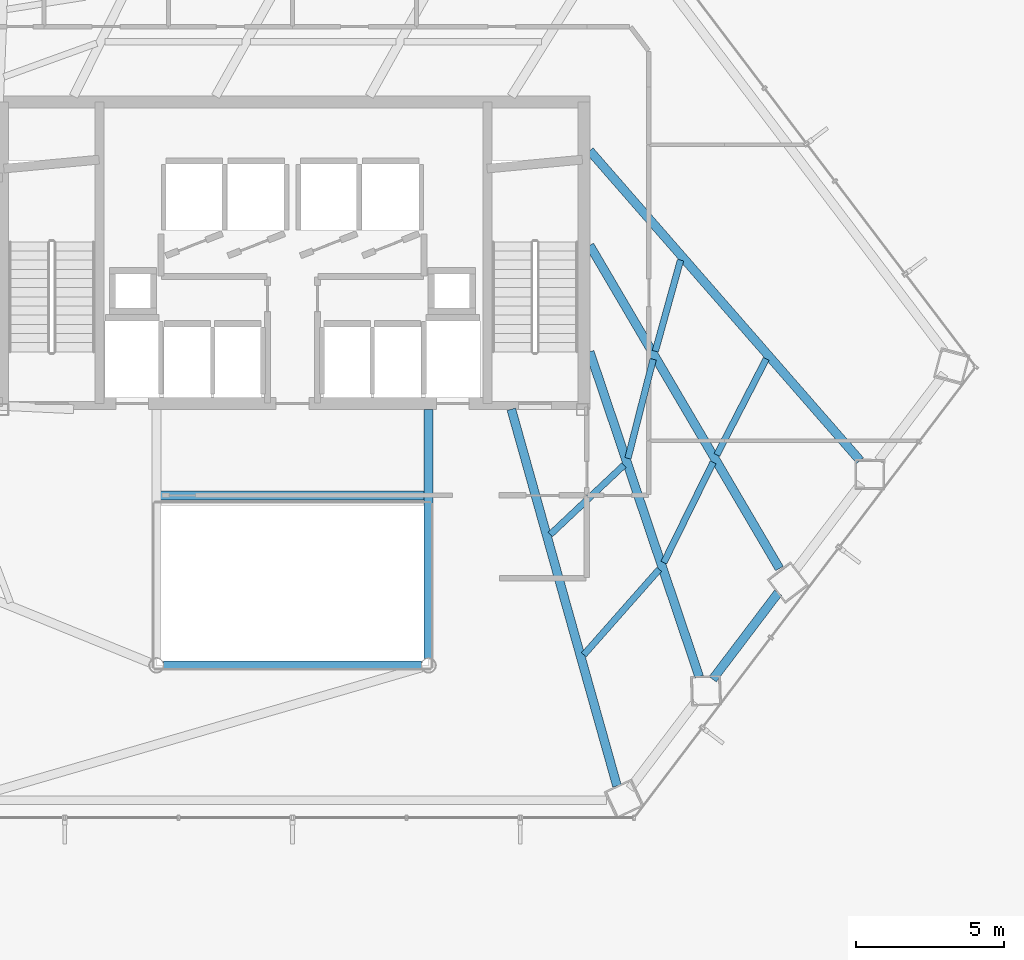
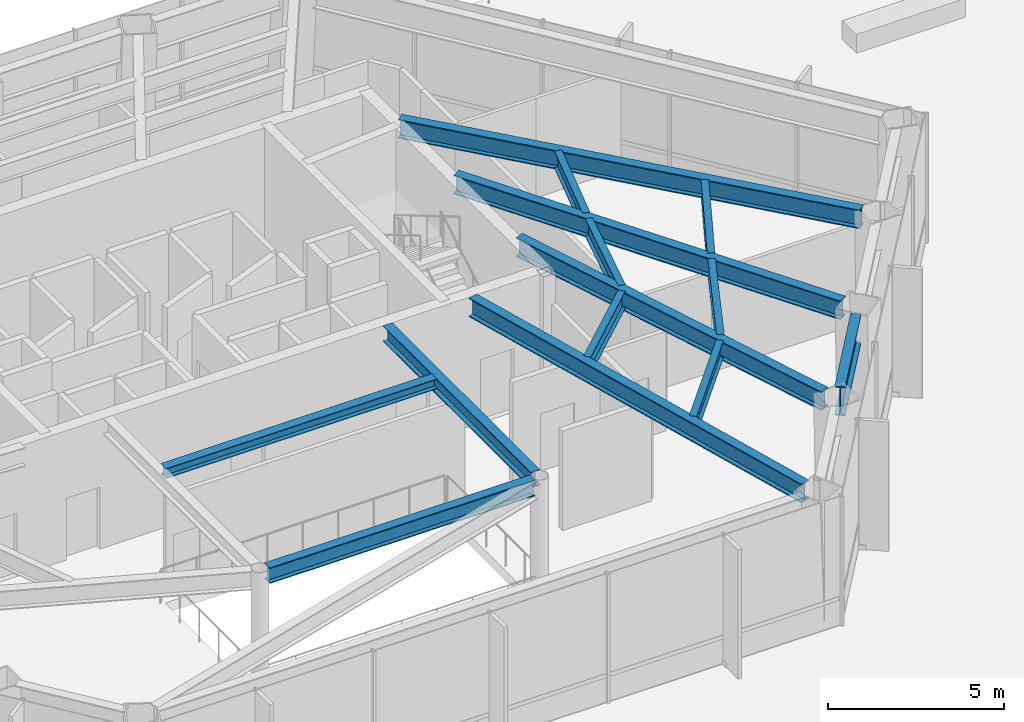
# One storey, part 9 of 30: 14 beams.
"""IFC4 building model written with IfcOpenShell, lengths in metres."""

from ifc_helpers import new_model, si_unit, direction, frame, origin, origin_2d, place, context, subcontext, project, spatial, i_section, extrude, material, material_profile, profile_set, type_object, element, save


model = new_model("IFC4")

# Units and contexts
model_context = context("Model", 3, precision=1e-05, world=origin(), true_north=direction((0.0, 1.0)))
body_context = subcontext(model_context, "Body", "Model", "MODEL_VIEW")
ifc_project = project(units=[si_unit("LENGTHUNIT", "METRE"), si_unit("AREAUNIT", "SQUARE_METRE"), si_unit("VOLUMEUNIT", "CUBIC_METRE"), si_unit("PLANEANGLEUNIT", "RADIAN"), si_unit("MASSUNIT", "GRAM", prefix="KILO")], contexts=[model_context])

# Site, building, storey
site_placement = place(None, origin())
site = spatial("IfcSite", under=ifc_project, at=site_placement, CompositionType="ELEMENT")
building_placement = place(site_placement, origin())
building = spatial("IfcBuilding", under=site, at=building_placement, Name="Zarrinselat Tower", CompositionType="ELEMENT")
storey_placement = place(building_placement, frame((0.0, 0.0, 22.780029296875)))
storey = spatial("IfcBuildingStorey", under=building, at=storey_placement, Name="L05", CompositionType="ELEMENT", Elevation=22.780029296875)

# Beams
ifc_material_1 = material(Name="Steel S355J2", Category="steel")
ifc_material_profile_1 = material_profile(ifc_material_1, i_section(OverallWidth=0.300048828125, OverallDepth=0.35009765625, WebThickness=0.010009765625, FlangeThickness=0.017578125, at=origin_2d()), Name="HEA 360")
ifc_profile_set_1 = profile_set([ifc_material_profile_1], Name="Steel S355J2")
beam_type_1 = type_object("IfcBeamType", Name="BM-HEA360", PredefinedType="LINTEL", material=ifc_profile_set_1)
beam_1_placement = place(storey_placement, frame((33.93994140625, 30.14990234375, 4.324951171875), z_axis=(1.0, 0.0, 0.0), x_axis=(0.0, 1.0, 0.0)))
element("IfcBeam", 1, at=beam_1_placement, inside=storey, type_object=beam_type_1, Name="L05 Lift Lobby Ceiling Beam", PredefinedType="LINTEL", context=body_context, shape_type="SweptSolid", body=[
    extrude(i_section(OverallWidth=0.300048828125, OverallDepth=0.35009765625, WebThickness=0.010009765625, FlangeThickness=0.017578125, at=origin_2d()), origin(), (0.0, 0.0, 1.0), 8.920166015625),
])
ifc_material_2 = material(Name="Steel S355J2", Category="steel")
ifc_material_profile_2 = material_profile(ifc_material_2, i_section(OverallWidth=0.300048828125, OverallDepth=0.550048828125, WebThickness=0.014892578125, FlangeThickness=0.029052734375, at=origin_2d()), Name="HEB 550")
ifc_profile_set_2 = profile_set([ifc_material_profile_2], Name="Steel S355J2")
beam_type_2 = type_object("IfcBeamType", Name="BM-HEB550", PredefinedType="BEAM", material=ifc_profile_set_2)
beam_2_placement = place(storey_placement, frame((34.0400390625, 24.39990234375, 4.224853515625), z_axis=(1.0, 0.0, 0.0), x_axis=(0.0, 1.0, 0.0)))
element("IfcBeam", 2, at=beam_2_placement, inside=storey, type_object=beam_type_2, Name="L05 Atrium Edge Beam S", PredefinedType="BEAM", context=body_context, shape_type="SweptSolid", body=[
    extrude(i_section(OverallWidth=0.300048828125, OverallDepth=0.550048828125, WebThickness=0.014892578125, FlangeThickness=0.029052734375, at=origin_2d()), origin(), (0.0, 0.0, 1.0), 8.719970703125),
])
beam_3_placement = place(storey_placement, frame((43.0, 24.639892578125, 4.224853515625), z_axis=(0.0, 1.0, 0.0), x_axis=(-1.0, 0.0, 0.0)))
element("IfcBeam", 3, at=beam_3_placement, inside=storey, type_object=beam_type_2, Name="L05 Atrium Edge Beam E", PredefinedType="BEAM", context=body_context, shape_type="SweptSolid", body=[
    extrude(i_section(OverallWidth=0.300048828125, OverallDepth=0.550048828125, WebThickness=0.014892578125, FlangeThickness=0.029052734375, at=origin_2d()), origin(), (0.0, 0.0, 1.0), 8.420166015625),
])
ifc_material_3 = material(Name="Steel S355J2", Category="steel")
ifc_material_profile_3 = material_profile(ifc_material_3, i_section(OverallWidth=0.300048828125, OverallDepth=0.64990234375, WebThickness=0.01611328125, FlangeThickness=0.031005859375, at=origin_2d()), Name="HEB 650")
ifc_profile_set_3 = profile_set([ifc_material_profile_3], Name="Steel S355J2")
beam_type_3 = type_object("IfcBeamType", Name="BM-HEB650", PredefinedType="BEAM", material=ifc_profile_set_3)
beam_4_placement = place(storey_placement, frame((45.800048828125, 33.06005859375, 4.175048828125), z_axis=(0.270091305161, -0.962834714204, 0.0), x_axis=(0.962834714204, 0.270091305161, 0.0)))
element("IfcBeam", 4, at=beam_4_placement, inside=storey, type_object=beam_type_3, Name="L05 Radial Primary Girder RG11", PredefinedType="BEAM", context=body_context, shape_type="SweptSolid", body=[
    extrude(i_section(OverallWidth=0.300048828125, OverallDepth=0.64990234375, WebThickness=0.01611328125, FlangeThickness=0.031005859375, at=origin_2d()), origin(), (0.0, 0.0, 1.0), 13.22802734375),
])
beam_5_placement = place(storey_placement, frame((48.449951171875, 35.0, 4.175048828125), z_axis=(0.319467998199, -0.94759706528, 0.0), x_axis=(0.94759706528, 0.319467998199, 0.0)))
element("IfcBeam", 5, at=beam_5_placement, inside=storey, type_object=beam_type_3, Name="L05 Radial Primary Girder RG12", PredefinedType="BEAM", context=body_context, shape_type="SweptSolid", body=[
    extrude(i_section(OverallWidth=0.300048828125, OverallDepth=0.64990234375, WebThickness=0.01611328125, FlangeThickness=0.031005859375, at=origin_2d()), origin(), (0.0, 0.0, 1.0), 11.58935546875),
])
beam_6_placement = place(storey_placement, frame((48.449951171875, 38.60009765625, 4.175048828125), z_axis=(0.506309018234, -0.862352119528, 0.0), x_axis=(0.862352119528, 0.506309018234, 0.0)))
element("IfcBeam", 6, at=beam_6_placement, inside=storey, type_object=beam_type_3, Name="L05 Radial Primary Girder RG13", PredefinedType="BEAM", context=body_context, shape_type="SweptSolid", body=[
    extrude(i_section(OverallWidth=0.300048828125, OverallDepth=0.64990234375, WebThickness=0.01611328125, FlangeThickness=0.031005859375, at=origin_2d()), origin(), (0.0, 0.0, 1.0), 12.666259765625),
])
beam_7_placement = place(storey_placement, frame((48.449951171875, 41.800048828125, 4.175048828125), z_axis=(0.657504524112, -0.753450596106, 0.0), x_axis=(0.753450596106, 0.657504524112, 0.0)))
element("IfcBeam", 7, at=beam_7_placement, inside=storey, type_object=beam_type_3, Name="L05 Radial Primary Girder RG14", PredefinedType="BEAM", context=body_context, shape_type="SweptSolid", body=[
    extrude(i_section(OverallWidth=0.300048828125, OverallDepth=0.64990234375, WebThickness=0.01611328125, FlangeThickness=0.031005859375, at=origin_2d()), origin(), (0.0, 0.0, 1.0), 13.903564453125),
])
ifc_material_4 = material(Name="Steel S460M", Category="steel")
ifc_material_profile_4 = material_profile(ifc_material_4, i_section(OverallWidth=0.302001953125, OverallDepth=1.008056640625, WebThickness=0.02099609375, FlangeThickness=0.0400390625, at=origin_2d()), Name="HEM 1000")
ifc_profile_set_4 = profile_set([ifc_material_profile_4], Name="Steel S460M")
beam_type_4 = type_object("IfcBeamType", Name="BM-HEM1000", PredefinedType="BEAM", material=ifc_profile_set_4)
beam_8_placement = place(storey_placement, frame((52.607421875, 23.931396484375, 3.995849609375), z_axis=(0.603869220808, 0.797083411043, 0.0), x_axis=(-0.797083411043, 0.603869220808, 0.0)))
element("IfcBeam", 8, at=beam_8_placement, inside=storey, type_object=beam_type_4, Name="L05 Perimeter Spandrel Girder SP12", PredefinedType="BEAM", context=body_context, shape_type="SweptSolid", body=[
    extrude(i_section(OverallWidth=0.302001953125, OverallDepth=1.008056640625, WebThickness=0.02099609375, FlangeThickness=0.0400390625, at=origin_2d()), origin(), (0.0, 0.0, 1.0), 3.668212890625),
])
ifc_material_5 = material(Name="Steel S355J2", Category="steel")
ifc_material_profile_5 = material_profile(ifc_material_5, i_section(OverallWidth=0.219970703125, OverallDepth=0.60009765625, WebThickness=0.011962890625, FlangeThickness=0.01904296875, at=origin_2d()), Name="IPE 600")
ifc_profile_set_5 = profile_set([ifc_material_profile_5], Name="Steel S355J2")
beam_type_5 = type_object("IfcBeamType", Name="BM-IPE600", PredefinedType="JOIST", material=ifc_profile_set_5)
beam_9_placement = place(storey_placement, frame((48.250732421875, 24.759033203125, 4.199951171875), z_axis=(0.661894057449, 0.749597396416, 0.0), x_axis=(-0.749597396416, 0.661894057449, 0.0)))
element("IfcBeam", 9, at=beam_9_placement, inside=storey, type_object=beam_type_5, Name="L05 Composite Floor Joist 4-1", PredefinedType="JOIST", context=body_context, shape_type="SweptSolid", body=[
    extrude(i_section(OverallWidth=0.219970703125, OverallDepth=0.60009765625, WebThickness=0.011962890625, FlangeThickness=0.01904296875, at=origin_2d()), origin(), (0.0, 0.0, 1.0), 3.8525390625),
])
beam_10_placement = place(storey_placement, frame((47.11669921875, 28.82568359375, 4.199951171875), z_axis=(0.728093107786, 0.685478246478, 0.0), x_axis=(-0.685478246478, 0.728093107786, 0.0)))
element("IfcBeam", 10, at=beam_10_placement, inside=storey, type_object=beam_type_5, Name="L05 Composite Floor Joist 4-2", PredefinedType="JOIST", context=body_context, shape_type="SweptSolid", body=[
    extrude(i_section(OverallWidth=0.219970703125, OverallDepth=0.60009765625, WebThickness=0.011962890625, FlangeThickness=0.01904296875, at=origin_2d()), origin(), (0.0, 0.0, 1.0), 3.420166015625),
])
beam_11_placement = place(storey_placement, frame((50.955322265625, 27.87744140625, 4.199951171875), z_axis=(0.441176231873, 0.897420488083, 0.0), x_axis=(-0.897420488083, 0.441176231873, 0.0)))
element("IfcBeam", 11, at=beam_11_placement, inside=storey, type_object=beam_type_5, Name="L05 Composite Floor Joist 5-1", PredefinedType="JOIST", context=body_context, shape_type="SweptSolid", body=[
    extrude(i_section(OverallWidth=0.219970703125, OverallDepth=0.60009765625, WebThickness=0.011962890625, FlangeThickness=0.01904296875, at=origin_2d()), origin(), (0.0, 0.0, 1.0), 3.775146484375),
])
beam_12_placement = place(storey_placement, frame((49.743408203125, 31.40185546875, 4.199951171875), z_axis=(0.24672271234, 0.969086117543, 0.0), x_axis=(-0.969086117543, 0.24672271234, 0.0)))
element("IfcBeam", 12, at=beam_12_placement, inside=storey, type_object=beam_type_5, Name="L05 Composite Floor Joist 5-2", PredefinedType="JOIST", context=body_context, shape_type="SweptSolid", body=[
    extrude(i_section(OverallWidth=0.219970703125, OverallDepth=0.60009765625, WebThickness=0.011962890625, FlangeThickness=0.01904296875, at=origin_2d()), origin(), (0.0, 0.0, 1.0), 3.45556640625),
])
beam_13_placement = place(storey_placement, frame((52.74658203125, 31.515380859375, 4.199951171875), z_axis=(0.458011022233, 0.888946513303, 0.0), x_axis=(-0.888946513303, 0.458011022233, 0.0)))
element("IfcBeam", 13, at=beam_13_placement, inside=storey, type_object=beam_type_5, Name="L05 Composite Floor Joist 6-1", PredefinedType="JOIST", context=body_context, shape_type="SweptSolid", body=[
    extrude(i_section(OverallWidth=0.219970703125, OverallDepth=0.60009765625, WebThickness=0.011962890625, FlangeThickness=0.01904296875, at=origin_2d()), origin(), (0.0, 0.0, 1.0), 3.65185546875),
])
beam_14_placement = place(storey_placement, frame((50.667724609375, 35.021240234375, 4.199951171875), z_axis=(0.266726369268, 0.963772298801, 0.0), x_axis=(-0.963772298801, 0.266726369268, 0.0)))
element("IfcBeam", 14, at=beam_14_placement, inside=storey, type_object=beam_type_5, Name="L05 Composite Floor Joist 6-2", PredefinedType="JOIST", context=body_context, shape_type="SweptSolid", body=[
    extrude(i_section(OverallWidth=0.219970703125, OverallDepth=0.60009765625, WebThickness=0.011962890625, FlangeThickness=0.01904296875, at=origin_2d()), origin(), (0.0, 0.0, 1.0), 3.1982421875),
])

save(model, "model.ifc")
